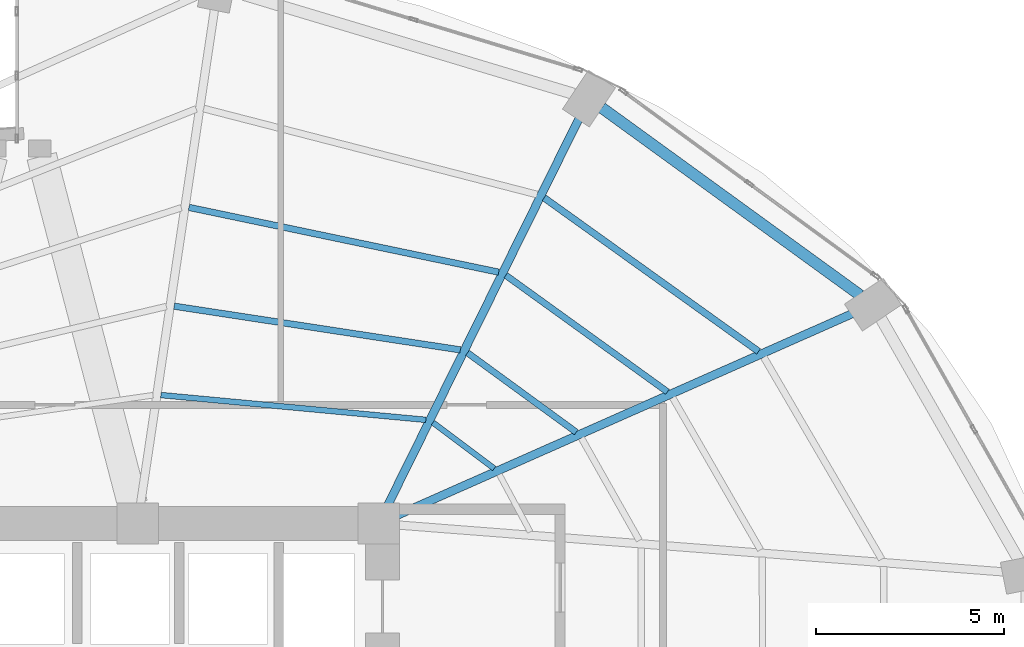
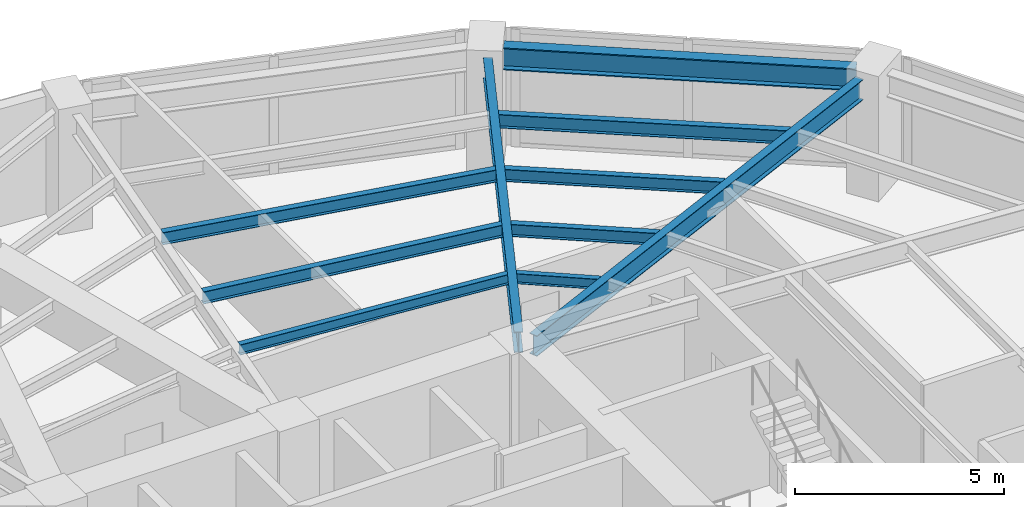
# One storey, part 17 of 25: 10 beams.
"""IFC4 building model written with IfcOpenShell, lengths in metres."""

from ifc_helpers import new_model, si_unit, direction, frame, origin, origin_2d, place, context, subcontext, project, spatial, i_section, extrude, material, material_profile, profile_set, type_object, element, save


model = new_model("IFC4")

# Units and contexts
model_context = context("Model", 3, precision=1e-05, world=origin(), true_north=direction((0.0, 1.0)))
body_context = subcontext(model_context, "Body", "Model", "MODEL_VIEW")
ifc_project = project(units=[si_unit("LENGTHUNIT", "METRE"), si_unit("AREAUNIT", "SQUARE_METRE"), si_unit("VOLUMEUNIT", "CUBIC_METRE"), si_unit("PLANEANGLEUNIT", "RADIAN"), si_unit("MASSUNIT", "GRAM", prefix="KILO")], contexts=[model_context])

# Site, building, storey
site_placement = place(None, origin())
site = spatial("IfcSite", under=ifc_project, at=site_placement, CompositionType="ELEMENT")
building_placement = place(site_placement, origin())
building = spatial("IfcBuilding", under=site, at=building_placement, Name="Lazwardi Medical Tower", CompositionType="ELEMENT")
storey_placement = place(building_placement, frame((0.0, 0.0, 43.43994140625)))
storey = spatial("IfcBuildingStorey", under=building, at=storey_placement, Name="L10", CompositionType="ELEMENT", Elevation=43.43994140625)

# Beams
ifc_material = material(Name="Steel S355", Category="steel")
ifc_material_profile_1 = material_profile(ifc_material, i_section(OverallWidth=0.300048828125, OverallDepth=0.64990234375, WebThickness=0.01611328125, FlangeThickness=0.031005859375, at=origin_2d()), Name="HEB 650")
ifc_profile_set_1 = profile_set([ifc_material_profile_1], Name="Steel S355")
beam_type_1 = type_object("IfcBeamType", Name="BM-RB-Z1", PredefinedType="BEAM", material=ifc_profile_set_1)
beam_1_placement = place(storey_placement, frame((58.3798828125, 41.660888671875, 3.10302734375), z_axis=(-0.809407079515, 0.587247971159, 0.0), x_axis=(-0.587247971159, -0.809407079515, 0.0)))
element("IfcBeam", 1, at=beam_1_placement, inside=storey, type_object=beam_type_1, Name="Ring beam RB-02 B06 L10", PredefinedType="BEAM", context=body_context, shape_type="SweptSolid", body=[
    extrude(i_section(OverallWidth=0.300048828125, OverallDepth=0.64990234375, WebThickness=0.01611328125, FlangeThickness=0.031005859375, at=origin_2d()), origin(), (0.0, 0.0, 1.0), 8.473876953125),
])
ifc_material_profile_2 = material_profile(ifc_material, i_section(OverallWidth=0.219970703125, OverallDepth=0.60009765625, WebThickness=0.011962890625, FlangeThickness=0.01904296875, at=origin_2d()), Name="IPE 600")
ifc_profile_set_2 = profile_set([ifc_material_profile_2], Name="Steel S355")
beam_type_2 = type_object("IfcBeamType", Name="BM-RG-W1", PredefinedType="BEAM", material=ifc_profile_set_2)
beam_2_placement = place(storey_placement, frame((58.189697265625, 41.17919921875, 3.128173828125), z_axis=(-0.914252189566, -0.405145571214, 0.0), x_axis=(0.405145571214, -0.914252189566, 0.0)))
element("IfcBeam", 2, at=beam_2_placement, inside=storey, type_object=beam_type_2, Name="Radial girder RG-02 R06 L10", PredefinedType="BEAM", context=body_context, shape_type="SweptSolid", body=[
    extrude(i_section(OverallWidth=0.219970703125, OverallDepth=0.60009765625, WebThickness=0.011962890625, FlangeThickness=0.01904296875, at=origin_2d()), origin(), (0.0, 0.0, 1.0), 13.235595703125),
])
beam_3_placement = place(storey_placement, frame((50.923828125, 46.364013671875, 3.128173828125), z_axis=(-0.443336723706, -0.896355146922, 0.0), x_axis=(0.896355146922, -0.443336723706, 0.0)))
element("IfcBeam", 3, at=beam_3_placement, inside=storey, type_object=beam_type_2, Name="Radial girder RG-02 R07 L10", PredefinedType="BEAM", context=body_context, shape_type="SweptSolid", body=[
    extrude(i_section(OverallWidth=0.219970703125, OverallDepth=0.60009765625, WebThickness=0.011962890625, FlangeThickness=0.01904296875, at=origin_2d()), origin(), (0.0, 0.0, 1.0), 11.4736328125),
])
ifc_material_profile_3 = material_profile(ifc_material, i_section(OverallWidth=0.179931640625, OverallDepth=0.39990234375, WebThickness=0.008544921875, FlangeThickness=0.013427734375, at=origin_2d()), Name="IPE 400")
ifc_profile_set_3 = profile_set([ifc_material_profile_3], Name="Steel S355")
beam_type_3 = type_object("IfcBeamType", Name="BM-SJ-01", PredefinedType="JOIST", material=ifc_profile_set_3)
beam_4_placement = place(storey_placement, frame((55.68408203125, 40.16796875, 3.22802734375), z_axis=(-0.812901036873, 0.582401840872, 0.0), x_axis=(-0.582401840872, -0.812901036873, 0.0)))
element("IfcBeam", 4, at=beam_4_placement, inside=storey, type_object=beam_type_3, Name="Secondary joist SJ-01 R1 B06 L10", PredefinedType="JOIST", context=body_context, shape_type="SweptSolid", body=[
    extrude(i_section(OverallWidth=0.179931640625, OverallDepth=0.39990234375, WebThickness=0.008544921875, FlangeThickness=0.013427734375, at=origin_2d()), origin(), (0.0, 0.0, 1.0), 7.002197265625),
])
ifc_material_profile_4 = material_profile(ifc_material, i_section(OverallWidth=0.169921875, OverallDepth=0.360107421875, WebThickness=0.008056640625, FlangeThickness=0.0126953125, at=origin_2d()), Name="IPE 360")
ifc_profile_set_4 = profile_set([ifc_material_profile_4], Name="Steel S355")
beam_type_4 = type_object("IfcBeamType", Name="BM-SJ-02", PredefinedType="JOIST", material=ifc_profile_set_4)
beam_5_placement = place(storey_placement, frame((53.26416015625, 39.095703125, 3.248046875), z_axis=(-0.811142764961, 0.584848198127, 0.0), x_axis=(-0.584848198127, -0.811142764961, 0.0)))
element("IfcBeam", 5, at=beam_5_placement, inside=storey, type_object=beam_type_4, Name="Secondary joist SJ-02 R2 B06 L10", PredefinedType="JOIST", context=body_context, shape_type="SweptSolid", body=[
    extrude(i_section(OverallWidth=0.169921875, OverallDepth=0.360107421875, WebThickness=0.008056640625, FlangeThickness=0.0126953125, at=origin_2d()), origin(), (0.0, 0.0, 1.0), 5.28857421875),
])
beam_6_placement = place(storey_placement, frame((48.786376953125, 42.271728515625, 3.248046875), z_axis=(-0.978809182847, 0.204774470026, 0.0), x_axis=(-0.204774470026, -0.978809182847, 0.0)))
element("IfcBeam", 6, at=beam_6_placement, inside=storey, type_object=beam_type_4, Name="Secondary joist SJ-02 R2 B07 L10", PredefinedType="JOIST", context=body_context, shape_type="SweptSolid", body=[
    extrude(i_section(OverallWidth=0.169921875, OverallDepth=0.360107421875, WebThickness=0.008056640625, FlangeThickness=0.0126953125, at=origin_2d()), origin(), (0.0, 0.0, 1.0), 8.40283203125),
])
beam_7_placement = place(storey_placement, frame((50.844482421875, 38.023681640625, 3.248046875), z_axis=(-0.80770129933, 0.589591902132, 0.0), x_axis=(-0.589591902132, -0.80770129933, 0.0)))
element("IfcBeam", 7, at=beam_7_placement, inside=storey, type_object=beam_type_4, Name="Secondary joist SJ-02 R3 B06 L10", PredefinedType="JOIST", context=body_context, shape_type="SweptSolid", body=[
    extrude(i_section(OverallWidth=0.169921875, OverallDepth=0.360107421875, WebThickness=0.008056640625, FlangeThickness=0.0126953125, at=origin_2d()), origin(), (0.0, 0.0, 1.0), 3.5751953125),
])
beam_8_placement = place(storey_placement, frame((47.76806640625, 40.209228515625, 3.248046875), z_axis=(-0.988535611365, 0.150987897074, 0.0), x_axis=(-0.150987897074, -0.988535611365, 0.0)))
element("IfcBeam", 8, at=beam_8_placement, inside=storey, type_object=beam_type_4, Name="Secondary joist SJ-02 R3 B07 L10", PredefinedType="JOIST", context=body_context, shape_type="SweptSolid", body=[
    extrude(i_section(OverallWidth=0.169921875, OverallDepth=0.360107421875, WebThickness=0.008056640625, FlangeThickness=0.0126953125, at=origin_2d()), origin(), (0.0, 0.0, 1.0), 7.68701171875),
])
ifc_material_profile_5 = material_profile(ifc_material, i_section(OverallWidth=0.14990234375, OverallDepth=0.300048828125, WebThickness=0.007080078125, FlangeThickness=0.0107421875, at=origin_2d()), Name="IPE 300")
ifc_profile_set_5 = profile_set([ifc_material_profile_5], Name="Steel S355")
beam_type_5 = type_object("IfcBeamType", Name="BM-SJ-03", PredefinedType="JOIST", material=ifc_profile_set_5)
beam_9_placement = place(storey_placement, frame((48.667236328125, 37.0595703125, 3.278076171875), z_axis=(-0.800115247939, 0.599846305328, 0.0), x_axis=(-0.599846305328, -0.800115247939, 0.0)))
element("IfcBeam", 9, at=beam_9_placement, inside=storey, type_object=beam_type_5, Name="Secondary joist SJ-03 R4 B06 L10", PredefinedType="JOIST", context=body_context, shape_type="SweptSolid", body=[
    extrude(i_section(OverallWidth=0.14990234375, OverallDepth=0.300048828125, WebThickness=0.007080078125, FlangeThickness=0.0107421875, at=origin_2d()), origin(), (0.0, 0.0, 1.0), 2.033447265625),
])
beam_10_placement = place(storey_placement, frame((46.851806640625, 38.35205078125, 3.278076171875), z_axis=(-0.995649263748, 0.093180167407, 0.0), x_axis=(-0.093180167407, -0.995649263748, 0.0)))
element("IfcBeam", 10, at=beam_10_placement, inside=storey, type_object=beam_type_5, Name="Secondary joist SJ-03 R4 B07 L10", PredefinedType="JOIST", context=body_context, shape_type="SweptSolid", body=[
    extrude(i_section(OverallWidth=0.14990234375, OverallDepth=0.300048828125, WebThickness=0.007080078125, FlangeThickness=0.0107421875, at=origin_2d()), origin(), (0.0, 0.0, 1.0), 7.06640625),
])

save(model, "model.ifc")
